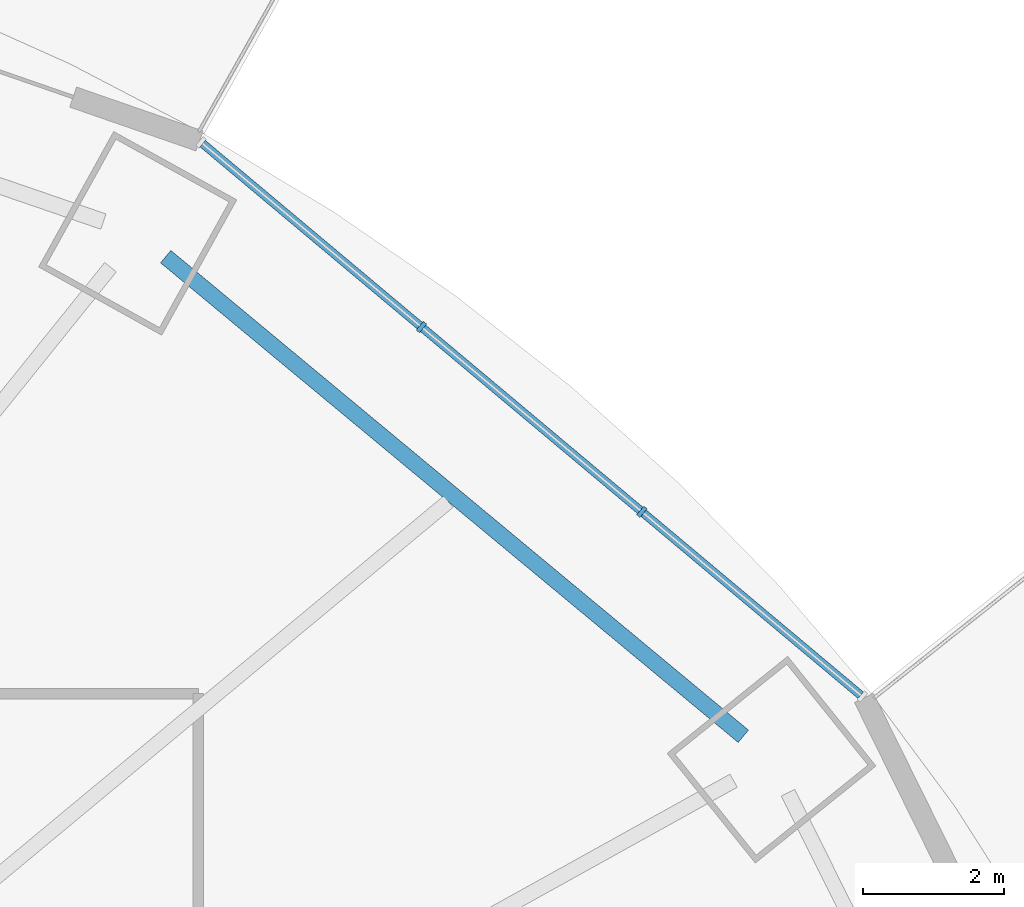
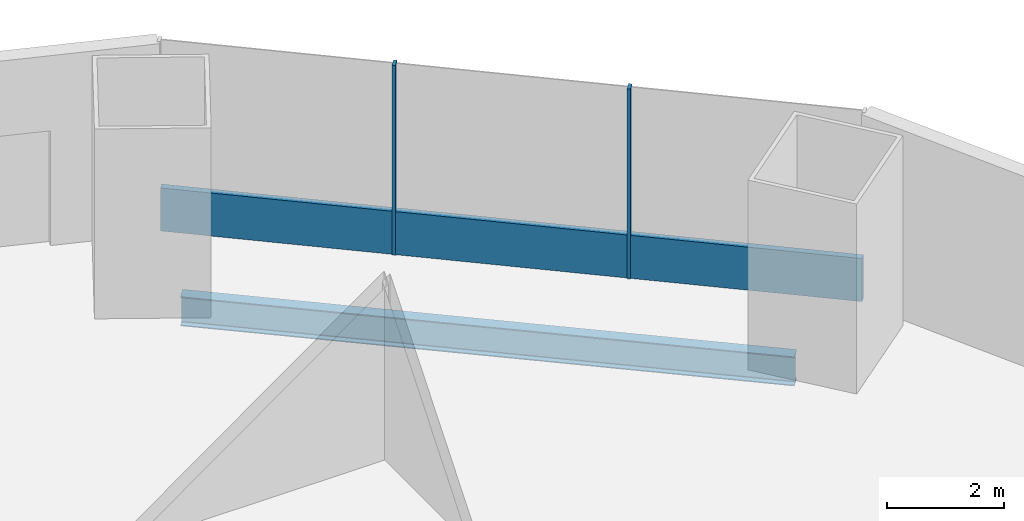
# One storey, part 10 of 22: 3 members, 1 beam, 1 element without a shape of its own.
"""IFC4 building model written with IfcOpenShell, lengths in metres."""

from ifc_helpers import new_model, si_unit, direction, frame, origin, origin_2d, place, context, subcontext, project, spatial, rectangle, i_section, extrude, material, material_profile, profile_set, type_object, element, aggregate, save


model = new_model("IFC4")

# Units and contexts
model_context = context("Model", 3, precision=1e-05, world=origin(), true_north=direction((0.0, 1.0)))
body_context = subcontext(model_context, "Body", "Model", "MODEL_VIEW")
ifc_project = project(units=[si_unit("LENGTHUNIT", "METRE"), si_unit("AREAUNIT", "SQUARE_METRE"), si_unit("VOLUMEUNIT", "CUBIC_METRE"), si_unit("PLANEANGLEUNIT", "RADIAN"), si_unit("MASSUNIT", "GRAM", prefix="KILO")], contexts=[model_context])

# Site, building, storey
site_placement = place(None, origin())
site = spatial("IfcSite", under=ifc_project, at=site_placement, CompositionType="ELEMENT")
building_placement = place(site_placement, origin())
building = spatial("IfcBuilding", under=site, at=building_placement, Name="Marenthal Gate Tower", CompositionType="ELEMENT")
storey_placement = place(building_placement, frame((0.0, 0.0, 107.699951171875)))
storey = spatial("IfcBuildingStorey", under=building, at=storey_placement, Name="L22", CompositionType="ELEMENT", Elevation=107.699951171875)

# Curtain wall, members
ifc_material_1 = material(Name="Aluminium and glass", Category="aluminium")
curtain_wall_type = type_object("IfcCurtainWallType", Name="Curtain wall typical low", PredefinedType="NOTDEFINED", material=ifc_material_1)
curtain_wall_placement = place(storey_placement, origin())
curtain_wall = element("IfcCurtainWall", 1, at=curtain_wall_placement, inside=storey, type_object=curtain_wall_type, Name="Curtain wall L22 bay 2", PredefinedType="NOTDEFINED")
ifc_material_2 = material(Name="Aluminium", Category="aluminium")
ifc_material_profile_1 = material_profile(ifc_material_2, rectangle(XDim=0.159912109375, YDim=0.06005859375, at=origin_2d()), Name="60x160 aluminium mullion")
ifc_profile_set_1 = profile_set([ifc_material_profile_1], Name="Aluminium")
member_type_1 = type_object("IfcMemberType", Name="Mullion 60x160 typical low", PredefinedType="MULLION", material=ifc_profile_set_1)
member_1_placement = place(storey_placement, frame((25.302490234375, 18.5830078125, 0.0), z_axis=(0.0, 0.0, 1.0), x_axis=(-0.642377082487, -0.766388728972, 0.0)))
member_1 = element("IfcMember", 2, at=member_1_placement, type_object=member_type_1, Name="Mullion L22 bay 2.2", PredefinedType="MULLION", context=body_context, shape_type="SweptSolid", body=[
    extrude(rectangle(XDim=0.159912109375, YDim=0.06005859375, at=origin_2d()), origin(), (0.0, 0.0, 1.0), 3.969970703125),
])
member_2_placement = place(storey_placement, frame((22.170166015625, 21.20849609375, 0.0), z_axis=(0.0, 0.0, 1.0), x_axis=(-0.642377082487, -0.766388728972, 0.0)))
member_2 = element("IfcMember", 3, at=member_2_placement, type_object=member_type_1, Name="Mullion L22 bay 2.3", PredefinedType="MULLION", context=body_context, shape_type="SweptSolid", body=[
    extrude(rectangle(XDim=0.159912109375, YDim=0.06005859375, at=origin_2d()), origin(), (0.0, 0.0, 1.0), 3.969970703125),
])
ifc_material_3 = material(Name="Aluminium", Category="aluminium")
ifc_material_profile_2 = material_profile(ifc_material_3, rectangle(XDim=0.1201171875, YDim=0.89990234375, at=origin_2d()), Name="120x900 aluminium transom")
ifc_profile_set_2 = profile_set([ifc_material_profile_2], Name="Aluminium")
member_type_2 = type_object("IfcMemberType", Name="Transom 120x900 typical low", PredefinedType="USERDEFINED", material=ifc_profile_set_2)
member_3_placement = place(storey_placement, frame((28.411865234375, 15.976806640625, 0.449951171875), z_axis=(-0.766391084467, 0.64237427225, 0.0), x_axis=(-0.64237427225, -0.766391084467, 0.0)))
member_3 = element("IfcMember", 4, at=member_3_placement, type_object=member_type_2, Name="Transom L22 bay 2", ObjectType="TRANSOM", PredefinedType="USERDEFINED", context=body_context, shape_type="SweptSolid", body=[
    extrude(rectangle(XDim=0.1201171875, YDim=0.89990234375, at=origin_2d()), origin(), (0.0, 0.0, 1.0), 12.201416015625),
])
aggregate(curtain_wall, [member_1, member_2, member_3])

# Beam
ifc_material_4 = material(Name="Steel S355", Category="steel")
ifc_material_profile_3 = material_profile(ifc_material_4, i_section(OverallWidth=0.22900390625, OverallDepth=0.612060546875, WebThickness=0.011962890625, FlangeThickness=0.01953125, FilletRadius=0.0126953125, at=origin_2d()), Name="W610X125")
ifc_profile_set_3 = profile_set([ifc_material_profile_3], Name="Steel S355")
beam_type = type_object("IfcBeamType", Name="W610X125 beam", PredefinedType="BEAM", material=ifc_profile_set_3)
beam_placement = place(storey_placement, frame((26.743896484375, 15.392822265625, -0.48583984375), z_axis=(-0.769349195684, 0.638828470796, 0.0), x_axis=(-0.638828470796, -0.769349195684, 0.0)))
element("IfcBeam", 5, at=beam_placement, inside=storey, type_object=beam_type, Name="BM-L22-42", PredefinedType="BEAM", context=body_context, shape_type="SweptSolid", body=[
    extrude(i_section(OverallWidth=0.22900390625, OverallDepth=0.612060546875, WebThickness=0.011962890625, FlangeThickness=0.01953125, FilletRadius=0.0126953125, at=origin_2d()), origin(), (0.0, 0.0, 1.0), 10.66943359375),
])

save(model, "model.ifc")
